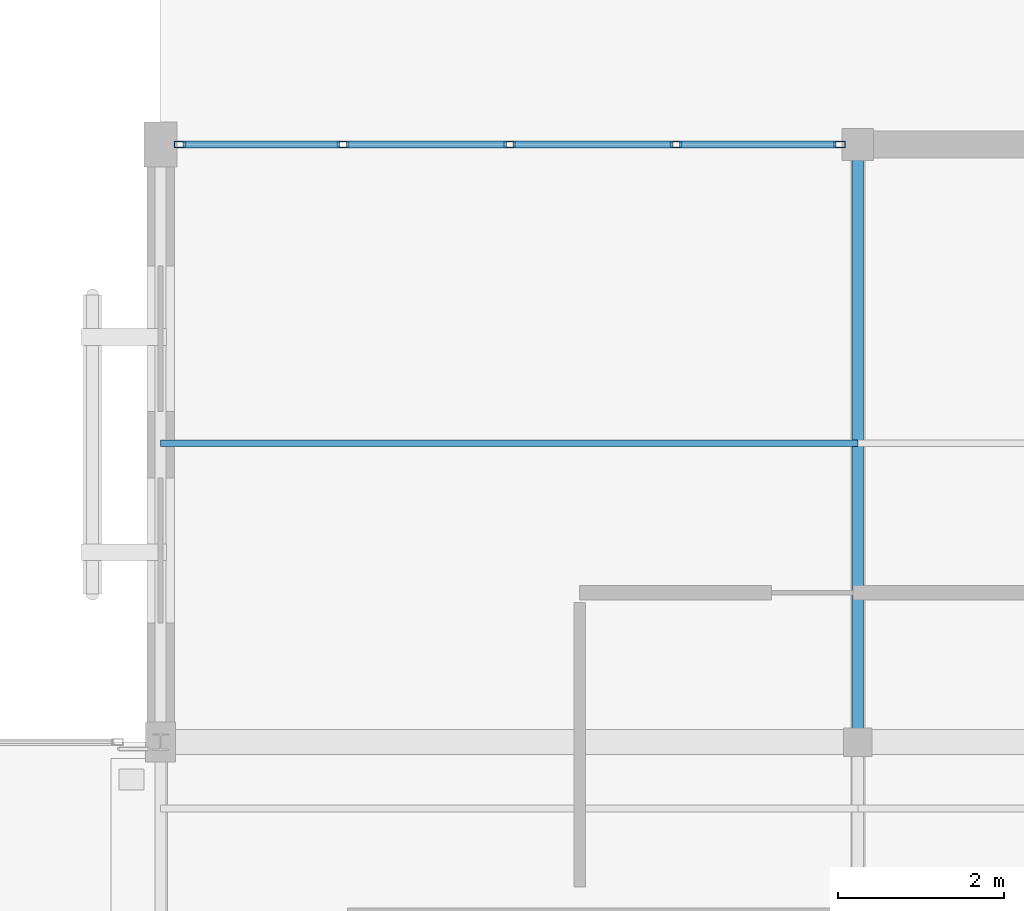
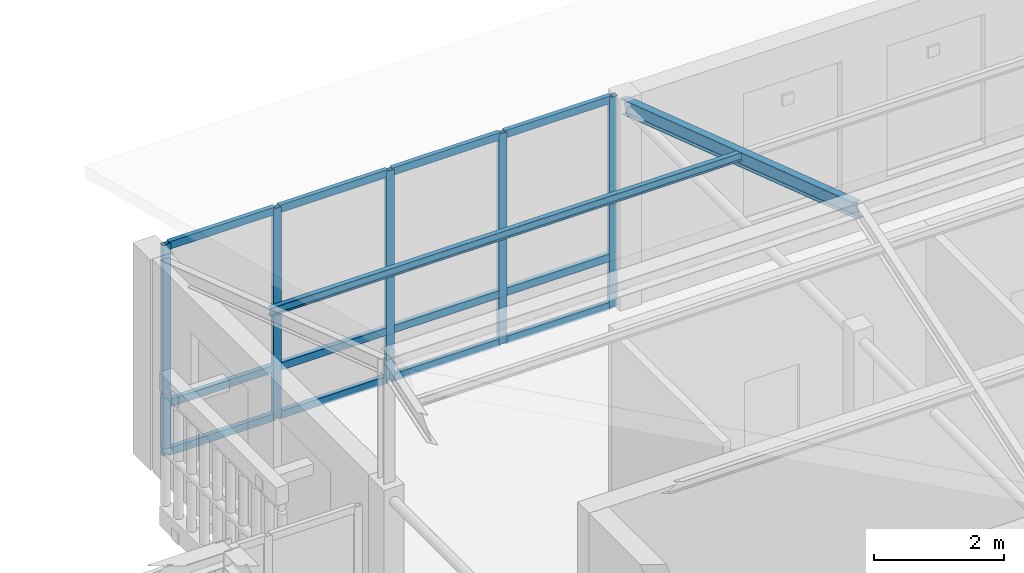
# One storey, part 24 of 112: 19 members, 1 element without a shape of its own.
"""IFC4 building model written with IfcOpenShell, lengths in metres."""

import ifcopenshell
import ifcopenshell.guid

model = None  # the IFC model being written
_history = None  # IfcOwnerHistory: only IFC2X3 demands one
_inside = {}  # id of a spatial element -> (the spatial element, [elements in it])
_under = {}  # id of a project, library or spatial element -> (it, [spatial elements below it])
_declared = {}  # id of a project -> (the project, [libraries it declares])
_typed = {}  # id of a type object -> (the type object, [elements of that type])
_made_of = {}  # id of a material, layer set ... -> (it, [elements and type objects made of it])


def new_model(schema):
    """Start an empty IFC model of exactly this schema.

    Asked for "IFC4X3", IfcOpenShell would pick the latest addendum, in which some entities
    have other attributes; the version numbers below select the first issue.
    IFC2X3 requires an IfcOwnerHistory on every rooted entity: one is made here for all.
    """
    global model, _history
    if schema == "IFC4X3":
        model = ifcopenshell.file(schema_version=(4, 3, 0, 0))
    else:
        model = ifcopenshell.file(schema=schema)
    _inside.clear()
    _under.clear()
    _declared.clear()
    _typed.clear()
    _made_of.clear()
    _history = None
    if model.schema == "IFC2X3":
        org = make("IfcOrganization", Name="unknown")
        user = make(
            "IfcPersonAndOrganization",
            ThePerson=make("IfcPerson", FamilyName="unknown"),
            TheOrganization=org,
        )
        app = make(
            "IfcApplication",
            ApplicationDeveloper=org,
            Version="unknown",
            ApplicationFullName="unknown",
            ApplicationIdentifier="unknown",
        )
        _history = make(
            "IfcOwnerHistory",
            OwningUser=user,
            OwningApplication=app,
            ChangeAction="ADDED",
            CreationDate=0,
        )
    return model


def make(cls, **values):
    """One entity of the class cls with the attributes given. An attribute that is None is left unset."""
    return model.create_entity(
        cls, **{name: value for name, value in values.items() if value is not None}
    )


def rooted(cls, **values):
    """An entity with a GlobalId (a new one), such as an element, a storey or a relation."""
    return make(cls, GlobalId=ifcopenshell.guid.new(), OwnerHistory=_history, **values)


def si_unit(unit_type, name, prefix=None):
    """IfcSIUnit, for example si_unit("LENGTHUNIT", "METRE", prefix="MILLI")."""
    return make("IfcSIUnit", UnitType=unit_type, Prefix=prefix, Name=name)


def assignment(units):
    """IfcUnitAssignment: the units of a project."""
    return None if units is None else make("IfcUnitAssignment", Units=units)


def point(xyz):
    """IfcCartesianPoint."""
    return None if xyz is None else make("IfcCartesianPoint", Coordinates=xyz)


def direction(xyz):
    """IfcDirection."""
    return None if xyz is None else make("IfcDirection", DirectionRatios=xyz)


def frame(location, z_axis=None, x_axis=None):
    """IfcAxis2Placement3D, a coordinate frame: its origin and axes. An axis left out is left unset."""
    return make(
        "IfcAxis2Placement3D",
        Location=point(location),
        Axis=direction(z_axis),
        RefDirection=direction(x_axis),
    )


def frame_2d(location, x_axis=None):
    """IfcAxis2Placement2D, a coordinate frame in the plane: its origin and x axis."""
    return make(
        "IfcAxis2Placement2D", Location=point(location), RefDirection=direction(x_axis)
    )


def origin():
    """The frame at (0, 0, 0) with its axes left unset."""
    return frame((0.0, 0.0, 0.0))


def origin_2d():
    """The frame at (0, 0) in the plane with its x axis left unset."""
    return frame_2d((0.0, 0.0))


def place(relative_to, where):
    """IfcLocalPlacement: puts the frame where relative to a parent placement (None: the world)."""
    return make(
        "IfcLocalPlacement", PlacementRelTo=relative_to, RelativePlacement=where
    )


def context(
    kind, dimensions, precision=None, world=None, true_north=None, identifier=None
):
    """IfcGeometricRepresentationContext, for example the 3D "Model" context."""
    return make(
        "IfcGeometricRepresentationContext",
        ContextIdentifier=identifier,
        ContextType=kind,
        CoordinateSpaceDimension=dimensions,
        Precision=precision,
        WorldCoordinateSystem=world,
        TrueNorth=true_north,
    )


def subcontext(parent, identifier, kind, view, scale=None):
    """IfcGeometricRepresentationSubContext, for example "Body" below "Model"."""
    return make(
        "IfcGeometricRepresentationSubContext",
        ContextIdentifier=identifier,
        ContextType=kind,
        ParentContext=parent,
        TargetScale=scale,
        TargetView=view,
    )


def project(units=None, contexts=None):
    """IfcProject with its units and contexts."""
    return rooted(
        "IfcProject",
        Name="project",
        RepresentationContexts=contexts,
        UnitsInContext=assignment(units),
    )


def spatial(cls, under=None, at=None, **own):
    """A site, building, storey or space (cls), placed at a placement, below another one or the project."""
    s = rooted(cls, ObjectPlacement=at, **own)
    if under is not None:
        _under.setdefault(under.id(), (under, []))[1].append(s)
    return s


def profile(cls, at=None, kind="AREA", **sizes):
    """A parametric profile (cls). Its sizes go by their IFC names, for example OverallWidth=200.0."""
    return make(cls, ProfileType=kind, Position=at, **sizes)


def hollow_rectangle(**sizes):
    """IfcRectangleHollowProfileDef."""
    return profile("IfcRectangleHollowProfileDef", **sizes)


def i_section(**sizes):
    """IfcIShapeProfileDef."""
    return profile("IfcIShapeProfileDef", **sizes)


def extrude(swept, where, along, depth):
    """IfcExtrudedAreaSolid: the profile swept, set in the frame where, extruded along a direction by depth."""
    return make(
        "IfcExtrudedAreaSolid",
        SweptArea=swept,
        Position=where,
        ExtrudedDirection=direction(along),
        Depth=depth,
    )


def shape(context_of_items, identifier, shape_type, items):
    """IfcShapeRepresentation: the items that make up one representation, for example the "Body"."""
    return make(
        "IfcShapeRepresentation",
        ContextOfItems=context_of_items,
        RepresentationIdentifier=identifier,
        RepresentationType=shape_type,
        Items=items,
    )


def material(Name=None, Category=None):
    """IfcMaterial."""
    return make("IfcMaterial", Name=Name, Category=Category)


def layer(
    of_material, thickness, ventilated=None, Name=None, Category=None, Priority=None
):
    """IfcMaterialLayer: one layer of a wall or slab, of a material (None: an air gap)."""
    return make(
        "IfcMaterialLayer",
        Material=of_material,
        LayerThickness=thickness,
        IsVentilated=ventilated,
        Name=Name,
        Category=Category,
        Priority=Priority,
    )


def layer_set(layers, Name=None):
    """IfcMaterialLayerSet."""
    return make("IfcMaterialLayerSet", MaterialLayers=layers, LayerSetName=Name)


def material_profile(
    of_material, cross_section, Name=None, Category=None, Priority=None
):
    """IfcMaterialProfile: a cross section and its material."""
    return make(
        "IfcMaterialProfile",
        Name=Name,
        Material=of_material,
        Profile=cross_section,
        Priority=Priority,
        Category=Category,
    )


def profile_set(profiles, Name=None, composite=None):
    """IfcMaterialProfileSet."""
    return make(
        "IfcMaterialProfileSet",
        Name=Name,
        MaterialProfiles=profiles,
        CompositeProfile=composite,
    )


def made_of(thing, what):
    """Note that an element or type object is made of a material, layer set ...; save() writes the relation."""
    if what is not None:
        _made_of.setdefault(what.id(), (what, []))[1].append(thing)
    return thing


def type_object(cls, material=None, **own):
    """A type object (cls), such as IfcWallType, which elements share."""
    return made_of(rooted(cls, **own), material)


def element(
    cls,
    number,
    at=None,
    inside=None,
    cuts=None,
    type_object=None,
    material=None,
    context=None,
    identifier="Body",
    shape_type=None,
    held_by="IfcProductDefinitionShape",
    body=None,
    shapes=None,
    **own,
):
    """One element of the class cls, such as IfcWall. Its Tag is "e" and its number.

    at: its placement. inside: the storey or other place that contains it. cuts: it is an
    opening in that element (IfcRelVoidsElement). A single representation is given by context,
    identifier, shape_type and body (its items); several are given by shapes. held_by: the class
    of the entity that holds the representations. save() writes the other relations.
    """
    e = rooted(cls, Tag="e%d" % number, ObjectPlacement=at, **own)
    if body is not None:
        shapes = [shape(context, identifier, shape_type, body)]
    if shapes is not None:
        e.Representation = make(held_by, Representations=shapes)
    if inside is not None:
        _inside.setdefault(inside.id(), (inside, []))[1].append(e)
    if cuts is not None:
        rooted(
            "IfcRelVoidsElement", RelatingBuildingElement=cuts, RelatedOpeningElement=e
        )
    if type_object is not None:
        _typed.setdefault(type_object.id(), (type_object, []))[1].append(e)
    return made_of(e, material)


def aggregate(whole, parts):
    """IfcRelAggregates: a whole, such as a stair, and the parts it consists of."""
    return rooted("IfcRelAggregates", RelatingObject=whole, RelatedObjects=parts)


def save(model, path):
    """Write the relations noted so far, then the file.

    IfcRelAggregates (storeys below a building ...), IfcRelContainedInSpatialStructure (elements
    in a storey), IfcRelDefinesByType, IfcRelAssociatesMaterial and IfcRelDeclares: one each for
    every whole, place, type object, material and project.
    """
    for whole, parts in _under.values():
        aggregate(whole, parts)
    for where, things in _inside.values():
        rooted(
            "IfcRelContainedInSpatialStructure",
            RelatedElements=things,
            RelatingStructure=where,
        )
    for kind, things in _typed.values():
        rooted("IfcRelDefinesByType", RelatedObjects=things, RelatingType=kind)
    for what, things in _made_of.values():
        rooted("IfcRelAssociatesMaterial", RelatedObjects=things, RelatingMaterial=what)
    for by, libraries in _declared.values():
        rooted("IfcRelDeclares", RelatingContext=by, RelatedDefinitions=libraries)
    model.write(path)


model = new_model("IFC4")

# Units and contexts
model_context = context("Model", 3, precision=1e-05, world=origin(), true_north=direction((0.0, 1.0)))
body_context = subcontext(model_context, "Body", "Model", "MODEL_VIEW")
ifc_project = project(units=[si_unit("LENGTHUNIT", "METRE"), si_unit("AREAUNIT", "SQUARE_METRE"), si_unit("VOLUMEUNIT", "CUBIC_METRE"), si_unit("PLANEANGLEUNIT", "RADIAN"), si_unit("MASSUNIT", "GRAM", prefix="KILO")], contexts=[model_context])

# Site, building, storey
site_placement = place(None, origin())
site = spatial("IfcSite", under=ifc_project, at=site_placement, CompositionType="ELEMENT")
building_placement = place(site_placement, origin())
building = spatial("IfcBuilding", under=site, at=building_placement, Name="Mazaris Harbour Polytechnic", CompositionType="ELEMENT")
storey_placement = place(building_placement, frame((0.0, 0.0, 13.800048828125)))
storey = spatial("IfcBuildingStorey", under=building, at=storey_placement, Name="L03", CompositionType="ELEMENT", Elevation=13.800048828125)

# Curtain wall, members
ifc_material_1 = material(Name="Anodised Bronze Aluminium and Low-E Glass", Category="aluminium")
ifc_layer = layer(ifc_material_1, 0.159912109375, Name="Anodised Bronze Aluminium and Low-E Glass")
ifc_layer_set = layer_set([ifc_layer], Name="Anodised Bronze Aluminium and Low-E Glass")
curtain_wall_type = type_object("IfcCurtainWallType", Name="Cloister Court Curtain Wall", PredefinedType="NOTDEFINED", material=ifc_layer_set)
curtain_wall_placement = place(storey_placement, origin())
curtain_wall = element("IfcCurtainWall", 1, at=curtain_wall_placement, inside=storey, type_object=curtain_wall_type, Name="V3 L03 Curtain Wall 93", PredefinedType="NOTDEFINED")
ifc_material_2 = material(Name="Anodised Bronze Steel S355", Category="steel")
ifc_material_profile_1 = material_profile(ifc_material_2, hollow_rectangle(XDim=0.080078125, YDim=0.139892578125, WallThickness=0.00634765625, at=origin_2d()), Name="RHS 80x140x6.3")
ifc_profile_set_1 = profile_set([ifc_material_profile_1], Name="Anodised Bronze Steel S355")
member_type_1 = type_object("IfcMemberType", Name="Curtain Mullion RHS80x140", PredefinedType="MULLION", material=ifc_profile_set_1)
member_1_placement = place(storey_placement, frame((54.23193359375, 36.0, 0.0), z_axis=(0.0, 0.0, 1.0), x_axis=(0.0, 1.0, 0.0)))
member_1 = element("IfcMember", 2, at=member_1_placement, type_object=member_type_1, Name="CW-02 mullion 1", PredefinedType="MULLION", context=body_context, shape_type="SweptSolid", body=[
    extrude(hollow_rectangle(XDim=0.080078125, YDim=0.139892578125, WallThickness=0.00634765625, at=origin_2d()), origin(), (0.0, 0.0, 1.0), 3.9599609375),
])
member_2_placement = place(storey_placement, frame((56.198486328125, 36.0, 0.0), z_axis=(0.0, 0.0, 1.0), x_axis=(0.0, 1.0, 0.0)))
member_2 = element("IfcMember", 3, at=member_2_placement, type_object=member_type_1, Name="CW-02 mullion 2", PredefinedType="MULLION", context=body_context, shape_type="SweptSolid", body=[
    extrude(hollow_rectangle(XDim=0.080078125, YDim=0.139892578125, WallThickness=0.00634765625, at=origin_2d()), origin(), (0.0, 0.0, 1.0), 3.9599609375),
])
member_3_placement = place(storey_placement, frame((58.205078125, 36.0, 0.0), z_axis=(0.0, 0.0, 1.0), x_axis=(0.0, 1.0, 0.0)))
member_3 = element("IfcMember", 4, at=member_3_placement, type_object=member_type_1, Name="CW-02 mullion 3", PredefinedType="MULLION", context=body_context, shape_type="SweptSolid", body=[
    extrude(hollow_rectangle(XDim=0.080078125, YDim=0.139892578125, WallThickness=0.00634765625, at=origin_2d()), origin(), (0.0, 0.0, 1.0), 3.9599609375),
])
member_4_placement = place(storey_placement, frame((60.21142578125, 36.0, 0.0), z_axis=(0.0, 0.0, 1.0), x_axis=(0.0, 1.0, 0.0)))
member_4 = element("IfcMember", 5, at=member_4_placement, type_object=member_type_1, Name="CW-02 mullion 4", PredefinedType="MULLION", context=body_context, shape_type="SweptSolid", body=[
    extrude(hollow_rectangle(XDim=0.080078125, YDim=0.139892578125, WallThickness=0.00634765625, at=origin_2d()), origin(), (0.0, 0.0, 1.0), 3.9599609375),
])
member_5_placement = place(storey_placement, frame((62.177978515625, 36.0, 0.0), z_axis=(0.0, 0.0, 1.0), x_axis=(0.0, 1.0, 0.0)))
member_5 = element("IfcMember", 6, at=member_5_placement, type_object=member_type_1, Name="CW-02 mullion 5", PredefinedType="MULLION", context=body_context, shape_type="SweptSolid", body=[
    extrude(hollow_rectangle(XDim=0.080078125, YDim=0.139892578125, WallThickness=0.00634765625, at=origin_2d()), origin(), (0.0, 0.0, 1.0), 3.9599609375),
])
ifc_material_3 = material(Name="Anodised Bronze Steel S355", Category="steel")
ifc_material_profile_2 = material_profile(ifc_material_3, hollow_rectangle(XDim=0.080078125, YDim=0.139892578125, WallThickness=0.00634765625, at=origin_2d()), Name="RHS 80x140x6.3")
ifc_profile_set_2 = profile_set([ifc_material_profile_2], Name="Anodised Bronze Steel S355")
member_type_2 = type_object("IfcMemberType", Name="Curtain Transom RHS80x140", PredefinedType="USERDEFINED", material=ifc_profile_set_2)
member_6_placement = place(storey_placement, frame((54.27197265625, 36.0, 0.0400390625), z_axis=(1.0, 0.0, 0.0), x_axis=(0.0, 1.0, 0.0)))
member_6 = element("IfcMember", 7, at=member_6_placement, type_object=member_type_2, Name="CW-02 transom 1.1", ObjectType="TRANSOM", PredefinedType="USERDEFINED", context=body_context, shape_type="SweptSolid", body=[
    extrude(hollow_rectangle(XDim=0.080078125, YDim=0.139892578125, WallThickness=0.00634765625, at=origin_2d()), origin(), (0.0, 0.0, 1.0), 1.886474609375),
])
member_7_placement = place(storey_placement, frame((54.27197265625, 36.0, 0.949951171875), z_axis=(1.0, 0.0, 0.0), x_axis=(0.0, 1.0, 0.0)))
member_7 = element("IfcMember", 8, at=member_7_placement, type_object=member_type_2, Name="CW-02 transom 1.2", ObjectType="TRANSOM", PredefinedType="USERDEFINED", context=body_context, shape_type="SweptSolid", body=[
    extrude(hollow_rectangle(XDim=0.080078125, YDim=0.139892578125, WallThickness=0.00634765625, at=origin_2d()), origin(), (0.0, 0.0, 1.0), 1.886474609375),
])
member_8_placement = place(storey_placement, frame((54.27197265625, 36.0, 3.919921875), z_axis=(1.0, 0.0, 0.0), x_axis=(0.0, 1.0, 0.0)))
member_8 = element("IfcMember", 9, at=member_8_placement, type_object=member_type_2, Name="CW-02 transom 1.3", ObjectType="TRANSOM", PredefinedType="USERDEFINED", context=body_context, shape_type="SweptSolid", body=[
    extrude(hollow_rectangle(XDim=0.080078125, YDim=0.139892578125, WallThickness=0.00634765625, at=origin_2d()), origin(), (0.0, 0.0, 1.0), 1.886474609375),
])
member_9_placement = place(storey_placement, frame((56.238525390625, 36.0, 0.0400390625), z_axis=(1.0, 0.0, 0.0), x_axis=(0.0, 1.0, 0.0)))
member_9 = element("IfcMember", 10, at=member_9_placement, type_object=member_type_2, Name="CW-02 transom 2.1", ObjectType="TRANSOM", PredefinedType="USERDEFINED", context=body_context, shape_type="SweptSolid", body=[
    extrude(hollow_rectangle(XDim=0.080078125, YDim=0.139892578125, WallThickness=0.00634765625, at=origin_2d()), origin(), (0.0, 0.0, 1.0), 1.926513671875),
])
member_10_placement = place(storey_placement, frame((56.238525390625, 36.0, 0.949951171875), z_axis=(1.0, 0.0, 0.0), x_axis=(0.0, 1.0, 0.0)))
member_10 = element("IfcMember", 11, at=member_10_placement, type_object=member_type_2, Name="CW-02 transom 2.2", ObjectType="TRANSOM", PredefinedType="USERDEFINED", context=body_context, shape_type="SweptSolid", body=[
    extrude(hollow_rectangle(XDim=0.080078125, YDim=0.139892578125, WallThickness=0.00634765625, at=origin_2d()), origin(), (0.0, 0.0, 1.0), 1.926513671875),
])
member_11_placement = place(storey_placement, frame((56.238525390625, 36.0, 3.919921875), z_axis=(1.0, 0.0, 0.0), x_axis=(0.0, 1.0, 0.0)))
member_11 = element("IfcMember", 12, at=member_11_placement, type_object=member_type_2, Name="CW-02 transom 2.3", ObjectType="TRANSOM", PredefinedType="USERDEFINED", context=body_context, shape_type="SweptSolid", body=[
    extrude(hollow_rectangle(XDim=0.080078125, YDim=0.139892578125, WallThickness=0.00634765625, at=origin_2d()), origin(), (0.0, 0.0, 1.0), 1.926513671875),
])
member_12_placement = place(storey_placement, frame((58.2451171875, 36.0, 0.0400390625), z_axis=(1.0, 0.0, 0.0), x_axis=(0.0, 1.0, 0.0)))
member_12 = element("IfcMember", 13, at=member_12_placement, type_object=member_type_2, Name="CW-02 transom 3.1", ObjectType="TRANSOM", PredefinedType="USERDEFINED", context=body_context, shape_type="SweptSolid", body=[
    extrude(hollow_rectangle(XDim=0.080078125, YDim=0.139892578125, WallThickness=0.00634765625, at=origin_2d()), origin(), (0.0, 0.0, 1.0), 1.92626953125),
])
member_13_placement = place(storey_placement, frame((58.2451171875, 36.0, 0.949951171875), z_axis=(1.0, 0.0, 0.0), x_axis=(0.0, 1.0, 0.0)))
member_13 = element("IfcMember", 14, at=member_13_placement, type_object=member_type_2, Name="CW-02 transom 3.2", ObjectType="TRANSOM", PredefinedType="USERDEFINED", context=body_context, shape_type="SweptSolid", body=[
    extrude(hollow_rectangle(XDim=0.080078125, YDim=0.139892578125, WallThickness=0.00634765625, at=origin_2d()), origin(), (0.0, 0.0, 1.0), 1.92626953125),
])
member_14_placement = place(storey_placement, frame((58.2451171875, 36.0, 3.919921875), z_axis=(1.0, 0.0, 0.0), x_axis=(0.0, 1.0, 0.0)))
member_14 = element("IfcMember", 15, at=member_14_placement, type_object=member_type_2, Name="CW-02 transom 3.3", ObjectType="TRANSOM", PredefinedType="USERDEFINED", context=body_context, shape_type="SweptSolid", body=[
    extrude(hollow_rectangle(XDim=0.080078125, YDim=0.139892578125, WallThickness=0.00634765625, at=origin_2d()), origin(), (0.0, 0.0, 1.0), 1.92626953125),
])
member_15_placement = place(storey_placement, frame((60.25146484375, 36.0, 0.0400390625), z_axis=(1.0, 0.0, 0.0), x_axis=(0.0, 1.0, 0.0)))
member_15 = element("IfcMember", 16, at=member_15_placement, type_object=member_type_2, Name="CW-02 transom 4.1", ObjectType="TRANSOM", PredefinedType="USERDEFINED", context=body_context, shape_type="SweptSolid", body=[
    extrude(hollow_rectangle(XDim=0.080078125, YDim=0.139892578125, WallThickness=0.00634765625, at=origin_2d()), origin(), (0.0, 0.0, 1.0), 1.886474609375),
])
member_16_placement = place(storey_placement, frame((60.25146484375, 36.0, 0.949951171875), z_axis=(1.0, 0.0, 0.0), x_axis=(0.0, 1.0, 0.0)))
member_16 = element("IfcMember", 17, at=member_16_placement, type_object=member_type_2, Name="CW-02 transom 4.2", ObjectType="TRANSOM", PredefinedType="USERDEFINED", context=body_context, shape_type="SweptSolid", body=[
    extrude(hollow_rectangle(XDim=0.080078125, YDim=0.139892578125, WallThickness=0.00634765625, at=origin_2d()), origin(), (0.0, 0.0, 1.0), 1.886474609375),
])
member_17_placement = place(storey_placement, frame((60.25146484375, 36.0, 3.919921875), z_axis=(1.0, 0.0, 0.0), x_axis=(0.0, 1.0, 0.0)))
member_17 = element("IfcMember", 18, at=member_17_placement, type_object=member_type_2, Name="CW-02 transom 4.3", ObjectType="TRANSOM", PredefinedType="USERDEFINED", context=body_context, shape_type="SweptSolid", body=[
    extrude(hollow_rectangle(XDim=0.080078125, YDim=0.139892578125, WallThickness=0.00634765625, at=origin_2d()), origin(), (0.0, 0.0, 1.0), 1.886474609375),
])
aggregate(curtain_wall, [member_1, member_2, member_3, member_4, member_5, member_6, member_7, member_8, member_9, member_10, member_11, member_12, member_13, member_14, member_15, member_16, member_17])

# Members
ifc_material_4 = material(Name="Steel S355", Category="steel")
ifc_material_profile_3 = material_profile(ifc_material_4, i_section(OverallWidth=0.08203125, OverallDepth=0.159912109375, WebThickness=0.0048828125, FlangeThickness=0.00732421875, FilletRadius=0.009033203125, at=origin_2d()), Name="IPE 160")
ifc_profile_set_3 = profile_set([ifc_material_profile_3], Name="Steel S355")
member_type_3 = type_object("IfcMemberType", Name="Steel Purlin IPE160", PredefinedType="PURLIN", material=ifc_profile_set_3)
member_18_placement = place(storey_placement, frame((54.0, 32.39990234375, 4.93994140625), z_axis=(1.0, 0.0, 0.0), x_axis=(0.0, 1.0, 0.0)))
element("IfcMember", 19, at=member_18_placement, inside=storey, type_object=member_type_3, Name="V3 Roof Purlin 180", PredefinedType="PURLIN", context=body_context, shape_type="SweptSolid", body=[
    extrude(i_section(OverallWidth=0.08203125, OverallDepth=0.159912109375, WebThickness=0.0048828125, FlangeThickness=0.00732421875, FilletRadius=0.009033203125, at=origin_2d()), origin(), (0.0, 0.0, 1.0), 8.39990234375),
])
ifc_material_5 = material(Name="Steel S355", Category="steel")
ifc_material_profile_4 = material_profile(ifc_material_5, i_section(OverallWidth=0.135009765625, OverallDepth=0.27001953125, WebThickness=0.006591796875, FlangeThickness=0.01025390625, FilletRadius=0.014892578125, at=origin_2d()), Name="IPE 270")
ifc_profile_set_4 = profile_set([ifc_material_profile_4], Name="Steel S355")
member_type_4 = type_object("IfcMemberType", Name="Steel Rafter IPE270", PredefinedType="RAFTER", material=ifc_profile_set_4)
member_19_placement = place(storey_placement, frame((62.39990234375, 28.800048828125, 6.099853515625), z_axis=(0.0, 0.948686514869, -0.316218115397), x_axis=(-1.0, 0.0, 0.0)))
element("IfcMember", 20, at=member_19_placement, inside=storey, type_object=member_type_4, Name="V3 Pavilion North Rafter 9", PredefinedType="RAFTER", context=body_context, shape_type="SweptSolid", body=[
    extrude(i_section(OverallWidth=0.135009765625, OverallDepth=0.27001953125, WebThickness=0.006591796875, FlangeThickness=0.01025390625, FilletRadius=0.014892578125, at=origin_2d()), origin(), (0.0, 0.0, 1.0), 7.58935546875),
])

save(model, "model.ifc")
